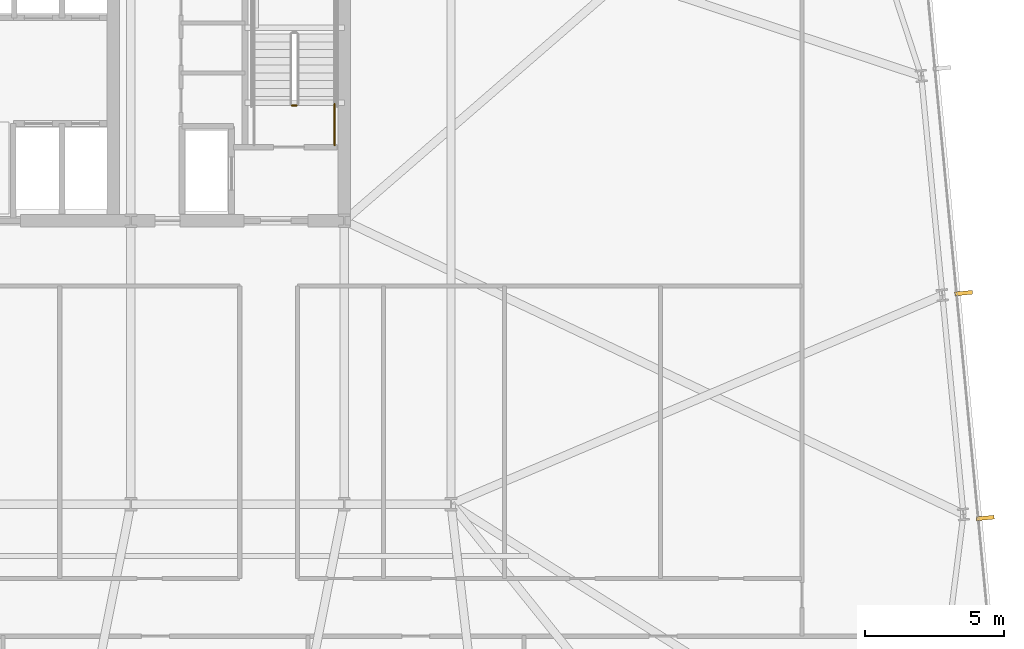
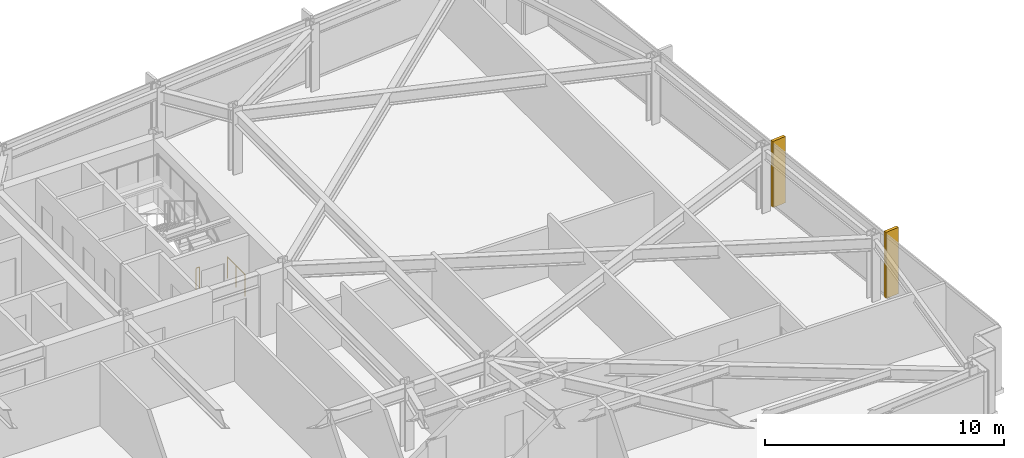
# One storey, part 31 of 33: 2 railings, 2 shading devices.
"""IFC4 building model written with IfcOpenShell, lengths in metres."""

from ifc_helpers import new_model, si_unit, direction, frame, origin, origin_2d, place, context, subcontext, project, spatial, rectangle, circle, extrude, material, layer, layer_set, type_object, element, save


model = new_model("IFC4")

# Units and contexts
model_context = context("Model", 3, precision=1e-05, world=origin(), true_north=direction((0.0, 1.0)))
body_context = subcontext(model_context, "Body", "Model", "MODEL_VIEW")
ifc_project = project(units=[si_unit("LENGTHUNIT", "METRE"), si_unit("AREAUNIT", "SQUARE_METRE"), si_unit("VOLUMEUNIT", "CUBIC_METRE"), si_unit("PLANEANGLEUNIT", "RADIAN"), si_unit("MASSUNIT", "GRAM", prefix="KILO")], contexts=[model_context])

# Site, building, storey
site_placement = place(None, origin())
site = spatial("IfcSite", under=ifc_project, at=site_placement, CompositionType="ELEMENT")
building_placement = place(site_placement, origin())
building = spatial("IfcBuilding", under=site, at=building_placement, Name="Yelkora Congress Tower", CompositionType="ELEMENT")
storey_placement = place(building_placement, frame((0.0, 0.0, 123.699951171875)))
storey = spatial("IfcBuildingStorey", under=building, at=storey_placement, Name="L33", CompositionType="ELEMENT", Elevation=123.699951171875)

# Railings
ifc_material_1 = material(Name="Painted galvanised steel stair well guard with vertical infill", Category="steel")
ifc_layer_1 = layer(ifc_material_1, 0.06005859375)
ifc_layer_set_1 = layer_set([ifc_layer_1], Name="Painted galvanised steel stair well guard with vertical infill")
railing_type = type_object("IfcRailingType", Name="RAIL-STAIR-GUARD-1120", PredefinedType="GUARDRAIL", material=ifc_layer_set_1)
railing_1_placement = place(storey_placement, frame((52.0400390625, 39.550048828125, 0.0)))
element("IfcRailing", 1, at=railing_1_placement, inside=storey, type_object=railing_type, Name="ST-02 L33 Stair Well Guardrail 7", PredefinedType="GUARDRAIL", context=body_context, shape_type="SweptSolid", body=[
    extrude(circle(Radius=0.02392578125, at=origin_2d()), frame((0.0, 0.0, 1.09619140625), z_axis=(-1.0, 0.0, 0.0), x_axis=(0.0, -1.0, 0.0)), (0.0, 0.0, 1.0), 0.16015625),
    extrude(circle(Radius=0.02099609375, at=origin_2d()), origin(), (0.0, 0.0, 1.0), 1.072021484375),
    extrude(circle(Radius=0.02099609375, at=origin_2d()), frame((-0.16015625, 0.0, 0.0)), (0.0, 0.0, 1.0), 1.072021484375),
])
railing_2_placement = place(storey_placement, frame((53.409912109375, 38.1201171875, 0.0)))
element("IfcRailing", 2, at=railing_2_placement, inside=storey, type_object=railing_type, Name="ST-02 L33 Stair Well Guardrail 8", PredefinedType="GUARDRAIL", context=body_context, shape_type="SweptSolid", body=[
    extrude(circle(Radius=0.02392578125, at=origin_2d()), frame((0.0, 0.0, 1.09619140625), z_axis=(0.0, 1.0, 0.0), x_axis=(-1.0, 0.0, 0.0)), (0.0, 0.0, 1.0), 1.47998046875),
    extrude(circle(Radius=0.02099609375, at=origin_2d()), origin(), (0.0, 0.0, 1.0), 1.072021484375),
    extrude(circle(Radius=0.02099609375, at=origin_2d()), frame((0.0, 0.739990234375, 0.0)), (0.0, 0.0, 1.0), 1.072021484375),
    extrude(circle(Radius=0.02099609375, at=origin_2d()), frame((0.0, 1.47998046875, 0.0)), (0.0, 0.0, 1.0), 1.072021484375),
])

# Shading devices
ifc_material_2 = material(Name="Champagne anodised aluminium", Category="aluminium")
ifc_layer_2 = layer(ifc_material_2, 3.39990234375)
ifc_layer_set_2 = layer_set([ifc_layer_2], Name="Champagne anodised aluminium")
shading_device_type = type_object("IfcShadingDeviceType", Name="SHD-FIN-ALU-640", PredefinedType="USERDEFINED", material=ifc_layer_set_2)
for number, where, z_axis, x_axis, name in (
    (3, (76.048095703125, 32.7958984375, -0.02978515625), (0.0, 0.0, 1.0), (0.09584575252, -0.995396198367, 0.0), "L33 Vertical Anodised Solar Fin 15-2"),
    (4, (76.827392578125, 24.703125, -0.02978515625), (0.0, 0.0, 1.0), (0.09584575252, -0.995396198367, 0.0), "L33 Vertical Anodised Solar Fin 15-3"),
):
    element("IfcShadingDevice", number, at=place(storey_placement, frame(where, z_axis=z_axis, x_axis=x_axis)), inside=storey, type_object=shading_device_type, Name=name, ObjectType="FIN", PredefinedType="USERDEFINED", context=body_context, shape_type="SweptSolid", body=[
        extrude(rectangle(XDim=0.139892578125, YDim=0.639892578125, at=origin_2d()), origin(), (0.0, 0.0, 1.0), 3.3798828125),
    ])

save(model, "model.ifc")
